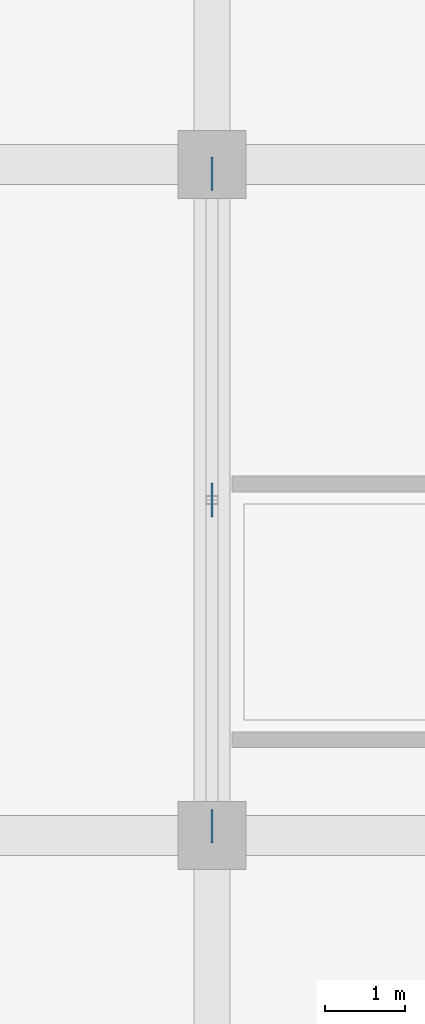
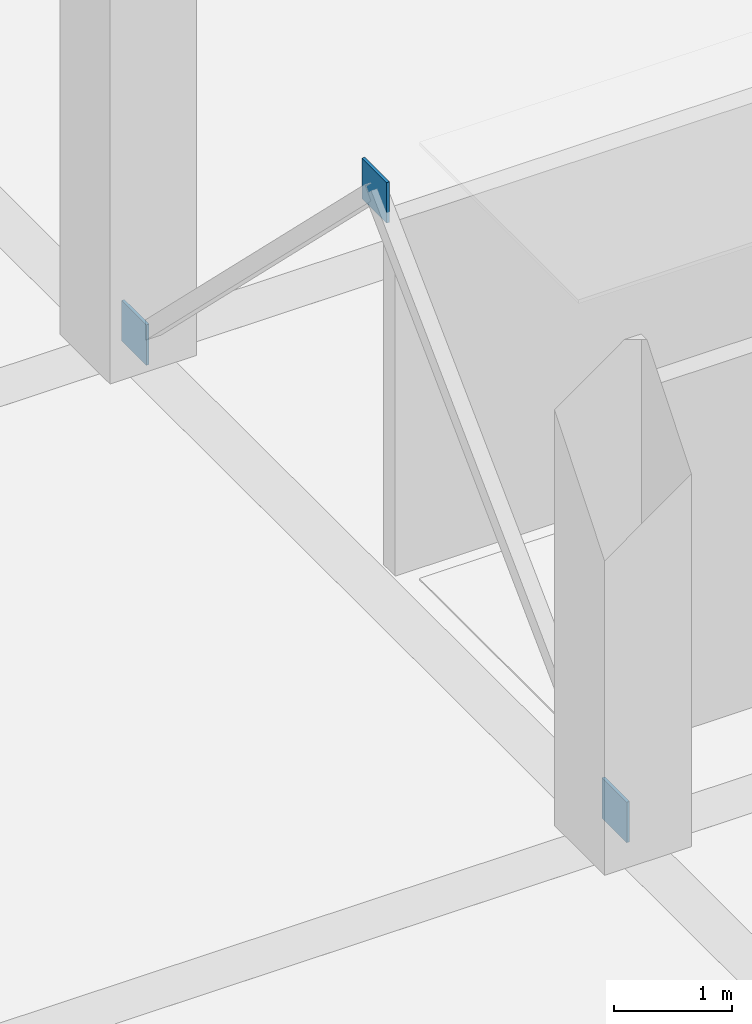
# One storey, part 113 of 152: 3 plates.
"""IFC4 building model written with IfcOpenShell, lengths in metres."""

from ifc_helpers import new_model, si_unit, direction, frame, origin, origin_2d, place, context, subcontext, project, spatial, rectangle, extrude, material, layer, layer_set, type_object, element, save


model = new_model("IFC4")

# Units and contexts
model_context = context("Model", 3, precision=1e-05, world=origin(), true_north=direction((0.0, 1.0)))
body_context = subcontext(model_context, "Body", "Model", "MODEL_VIEW")
ifc_project = project(units=[si_unit("LENGTHUNIT", "METRE"), si_unit("AREAUNIT", "SQUARE_METRE"), si_unit("VOLUMEUNIT", "CUBIC_METRE"), si_unit("PLANEANGLEUNIT", "RADIAN"), si_unit("MASSUNIT", "GRAM", prefix="KILO")], contexts=[model_context])

# Site, building, storey
site_placement = place(None, origin())
site = spatial("IfcSite", under=ifc_project, at=site_placement, CompositionType="ELEMENT")
building_placement = place(site_placement, origin())
building = spatial("IfcBuilding", under=site, at=building_placement, Name="Oolite Switchyard Hospital", CompositionType="ELEMENT")
storey_placement = place(building_placement, frame((0.0, 0.0, 5.10009765625)))
storey = spatial("IfcBuildingStorey", under=building, at=storey_placement, Name="L01", CompositionType="ELEMENT", Elevation=5.10009765625)

# Plates
ifc_material = material(Name="Steel ASTM A572 Grade 50", Category="steel")
ifc_layer = layer(ifc_material, 0.028076171875)
ifc_layer_set = layer_set([ifc_layer], Name="PLT-GUS-420")
plate_type = type_object("IfcPlateType", Name="PLT-GUS-420", PredefinedType="SHEET", material=ifc_layer_set)
for number, where, z_axis, x_axis, name in (
    (1, (9.60009765625, 100.919921875, -0.010009765625), (0.0, 0.0, 1.0), (0.0, 1.0, 0.0), "L01 Brace Base Gusset Plate 124"),
    (2, (9.60009765625, 109.080078125, -0.010009765625), (0.0, 0.0, 1.0), (0.0, 1.0, 0.0), "L01 Brace Base Gusset Plate 125"),
    (3, (9.60009765625, 105.0, 3.93994140625), (0.0, 0.0, 1.0), (0.0, 1.0, 0.0), "L01 Gusset Connection Plate 126"),
):
    element("IfcPlate", number, at=place(storey_placement, frame(where, z_axis=z_axis, x_axis=x_axis)), inside=storey, type_object=plate_type, Name=name, PredefinedType="SHEET", context=body_context, shape_type="SweptSolid", body=[
        extrude(rectangle(XDim=0.419921875, YDim=0.028076171875, at=origin_2d()), origin(), (0.0, 0.0, 1.0), 0.419921875),
    ])

save(model, "model.ifc")
